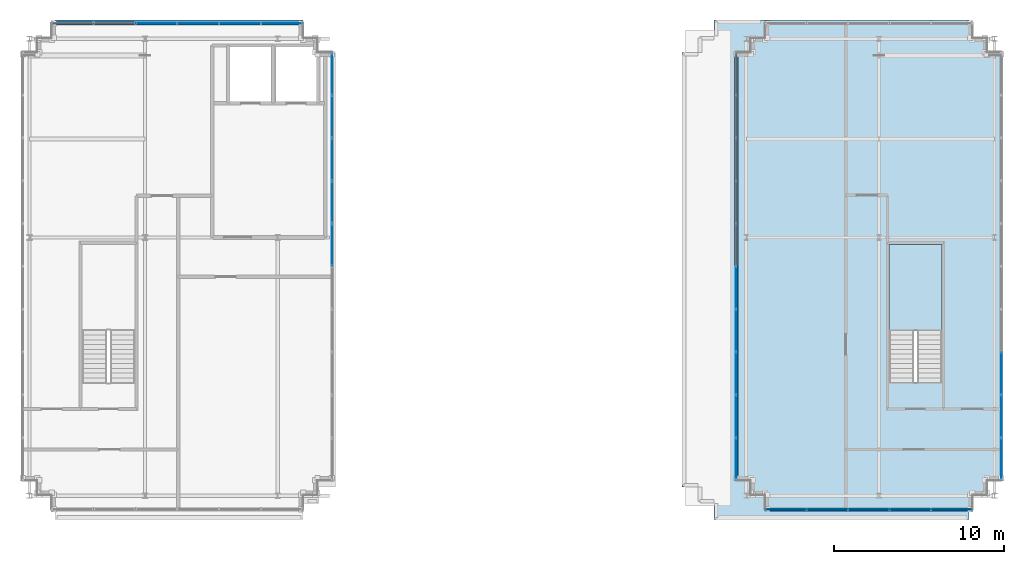
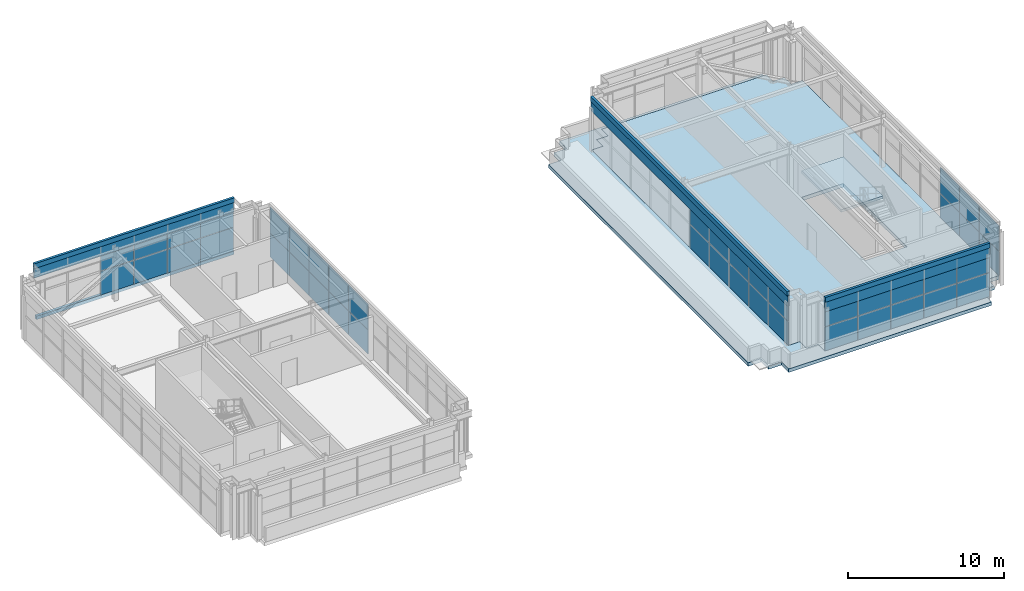
# One storey, part 17 of 25: 50 plates, 4 slabs, 6 elements without a shape of their own.
"""IFC4 building model written with IfcOpenShell, lengths in metres."""

from ifc_helpers import new_model, si_unit, direction, frame, origin, origin_2d, place, context, subcontext, project, spatial, polyline, rectangle, outline, extrude, source, transform, mapped, material, layer, layer_set, type_object, element, aggregate, save


model = new_model("IFC4")

# Units and contexts
model_context = context("Model", 3, precision=1e-05, world=origin(), true_north=direction((0.0, 1.0)))
body_context = subcontext(model_context, "Body", "Model", "MODEL_VIEW")
ifc_project = project(units=[si_unit("LENGTHUNIT", "METRE"), si_unit("AREAUNIT", "SQUARE_METRE"), si_unit("VOLUMEUNIT", "CUBIC_METRE"), si_unit("PLANEANGLEUNIT", "RADIAN"), si_unit("MASSUNIT", "GRAM", prefix="KILO")], contexts=[model_context])

# Site, building, storey
site_placement = place(None, origin())
site = spatial("IfcSite", under=ifc_project, at=site_placement, CompositionType="ELEMENT")
building_placement = place(site_placement, origin())
building = spatial("IfcBuilding", under=site, at=building_placement, Name="Trelvane Seafront Commons", CompositionType="ELEMENT")
storey_placement = place(building_placement, frame((0.0, 0.0, 316.699951171875)))
storey = spatial("IfcBuildingStorey", under=building, at=storey_placement, Name="L82", CompositionType="ELEMENT", Elevation=316.699951171875)

# Stair, slab
ifc_material_1 = material(Name="Concrete C40/50", Category="concrete")
stair_type = type_object("IfcStairType", Name="ARCH-STR-ST-6-R24-175", PredefinedType="HALF_TURN_STAIR", material=ifc_material_1)
stair_placement = place(storey_placement, origin())
stair = element("IfcStair", 1, at=stair_placement, inside=storey, type_object=stair_type, Name="L82 Crown East Peak Enclosed Maintenance Exit Stair ST-6", PredefinedType="HALF_TURN_STAIR")
ifc_layer_1 = layer(ifc_material_1, 0.199951171875, Name="ARCH-LND-200")
ifc_layer_set_1 = layer_set([ifc_layer_1], Name="Concrete C40/50")
slab_type_1 = type_object("IfcSlabType", Name="ARCH-LND-200", PredefinedType="LANDING", material=ifc_layer_set_1)
slab_1_placement = place(storey_placement, frame((0.0, 0.0, 1.900146484375)))
slab_1 = element("IfcSlab", 2, at=slab_1_placement, type_object=slab_type_1, Name="ST-6 landing 1", PredefinedType="LANDING", context=body_context, shape_type="SweptSolid", body=[
    extrude(outline(polyline([(62.5, 27.929931640625), (62.5, 33.0), (59.39990234375, 33.0), (59.39990234375, 27.929931640625), (62.5, 27.929931640625)])), origin(), (0.0, 0.0, 1.0), 0.199951171875),
])
aggregate(stair, [slab_1])

# Slabs
ifc_layer_2 = layer(ifc_material_1, 0.27001953125, Name="STR-ROOF-270")
ifc_layer_set_2 = layer_set([ifc_layer_2], Name="Concrete C40/50")
slab_type_2 = type_object("IfcSlabType", Name="STR-ROOF-270", PredefinedType="ROOF", material=ifc_layer_set_2)
slab_2_placement = place(storey_placement, frame((0.0, 0.0, -0.27001953125)))
element("IfcSlab", 3, at=slab_2_placement, inside=storey, type_object=slab_type_2, Name="L82 Crown Setback Step Roof Slab", PredefinedType="ROOF", context=body_context, shape_type="SweptSolid", body=[
    extrude(outline(polyline([(10.300048828125, 46.0), (24.89990234375, 46.0), (24.89990234375, 46.199951171875), (10.300048828125, 46.199951171875), (10.300048828125, 46.0)])), origin(), (0.0, 0.0, 1.0), 0.27001953125),
])
slab_3_placement = place(storey_placement, frame((0.0, 0.0, -0.27001953125)))
element("IfcSlab", 4, at=slab_3_placement, inside=storey, type_object=slab_type_2, Name="L82 Crown Setback Step Roof Slab", PredefinedType="ROOF", context=body_context, shape_type="SweptSolid", body=[
    extrude(outline(polyline([(49.10009765625, 17.75), (49.10009765625, 16.800048828125), (64.10009765625, 16.800048828125), (64.10009765625, 17.39990234375), (52.10009765625, 17.39990234375), (52.10009765625, 18.25), (51.25, 18.25), (51.25, 19.10009765625), (50.39990234375, 19.10009765625), (50.39990234375, 44.300048828125), (51.25, 44.300048828125), (51.25, 45.14990234375), (52.10009765625, 45.14990234375), (52.10009765625, 46.0), (64.10009765625, 46.0), (64.10009765625, 46.199951171875), (49.10009765625, 46.199951171875), (49.10009765625, 45.25), (48.14990234375, 45.25), (48.14990234375, 44.300048828125), (47.199951171875, 44.300048828125), (47.199951171875, 18.699951171875), (48.14990234375, 18.699951171875), (48.14990234375, 17.75), (49.10009765625, 17.75)])), origin(), (0.0, 0.0, 1.0), 0.27001953125),
])
ifc_material_2 = material(Name="Concrete C50/60", Category="concrete")
ifc_layer_3 = layer(ifc_material_2, 0.2900390625, Name="STR-SLB-CRN290")
ifc_layer_set_3 = layer_set([ifc_layer_3], Name="Concrete C50/60")
slab_type_3 = type_object("IfcSlabType", Name="STR-SLB-CRN290", PredefinedType="FLOOR", material=ifc_layer_set_3)
slab_4_placement = place(storey_placement, frame((0.0, 0.0, -0.2900390625)))
element("IfcSlab", 5, at=slab_4_placement, inside=storey, type_object=slab_type_3, Name="L82 East Crown Peak Floor Slab", PredefinedType="FLOOR", context=body_context, shape_type="SweptSolid", body=[
    extrude(outline(polyline([(52.10009765625, 17.39990234375), (64.300048828125, 17.39990234375), (64.300048828125, 18.25), (65.14990234375, 18.25), (65.14990234375, 19.10009765625), (66.0, 19.10009765625), (66.0, 44.300048828125), (65.14990234375, 44.300048828125), (65.14990234375, 45.14990234375), (64.300048828125, 45.14990234375), (64.300048828125, 46.0), (52.10009765625, 46.0), (52.10009765625, 45.14990234375), (51.25, 45.14990234375), (51.25, 44.300048828125), (50.39990234375, 44.300048828125), (50.39990234375, 19.10009765625), (51.25, 19.10009765625), (51.25, 18.25), (52.10009765625, 18.25), (52.10009765625, 17.39990234375)]), holes=[polyline([(62.5, 33.0), (62.5, 24.85009765625), (59.39990234375, 24.85009765625), (59.39990234375, 33.0), (62.5, 33.0)])]), origin(), (0.0, 0.0, 1.0), 0.2900390625),
])

# Curtain wall, plates
ifc_material_3 = material(Name="Anodised pale-silver aluminium", Category="aluminium")
curtain_wall_type = type_object("IfcCurtainWallType", Name="ARCH-CW6-CROWN", PredefinedType="NOTDEFINED", material=ifc_material_3)
curtain_wall_1_placement = place(storey_placement, origin())
curtain_wall_1 = element("IfcCurtainWall", 6, at=curtain_wall_1_placement, inside=storey, type_object=curtain_wall_type, Name="CW-L82-0154", PredefinedType="NOTDEFINED")
ifc_material_4 = material(Name="Low-E coastal double glazing", Category="glass")
ifc_layer_4 = layer(ifc_material_4, 0.033935546875, Name="ARCH-CW-GLAZ-34")
ifc_layer_set_4 = layer_set([ifc_layer_4], Name="Low-E coastal double glazing")
plate_type_1 = type_object("IfcPlateType", Name="ARCH-CW-GLAZ-34", PredefinedType="CURTAIN_PANEL", material=ifc_layer_set_4)
shared_shape_1 = source(origin(), body_context, "Body", "SweptSolid", [
    extrude(rectangle(XDim=2.49609375, YDim=0.031982421875, at=origin_2d()), origin(), (0.0, 0.0, 1.0), 1.85888671875),
])
plate_1_placement = place(storey_placement, frame((26.60009765625, 43.0400390625, 0.0), z_axis=(0.0, 0.0, 1.0), x_axis=(0.0, -1.0, 0.0)))
plate_1 = element("IfcPlate", 7, at=plate_1_placement, type_object=plate_type_1, Name="CW-L82-0154-P00-1", PredefinedType="CURTAIN_PANEL", context=body_context, shape_type="MappedRepresentation", body=[
    mapped(shared_shape_1, transform((0.0, 0.0, 0.0), x_axis=(1.0, 0.0, 0.0), y_axis=(0.0, 1.0, 0.0), z_axis=(0.0, 0.0, 1.0), scale=1.0)),
])
plate_2_placement = place(storey_placement, frame((26.60009765625, 40.52001953125, 0.0), z_axis=(0.0, 0.0, 1.0), x_axis=(0.0, -1.0, 0.0)))
plate_2 = element("IfcPlate", 8, at=plate_2_placement, type_object=plate_type_1, Name="CW-L82-0154-P01-1", PredefinedType="CURTAIN_PANEL", context=body_context, shape_type="MappedRepresentation", body=[
    mapped(shared_shape_1, transform((0.0, 0.0, 0.0), x_axis=(1.0, 0.0, 0.0), y_axis=(0.0, 1.0, 0.0), z_axis=(0.0, 0.0, 1.0), scale=1.0)),
])
plate_3_placement = place(storey_placement, frame((26.60009765625, 38.0, 0.0), z_axis=(0.0, 0.0, 1.0), x_axis=(0.0, -1.0, 0.0)))
plate_3 = element("IfcPlate", 9, at=plate_3_placement, type_object=plate_type_1, Name="CW-L82-0154-P02-1", PredefinedType="CURTAIN_PANEL", context=body_context, shape_type="MappedRepresentation", body=[
    mapped(shared_shape_1, transform((0.0, 0.0, 0.0), x_axis=(1.0, 0.0, 0.0), y_axis=(0.0, 1.0, 0.0), z_axis=(0.0, 0.0, 1.0), scale=1.0)),
])
plate_4_placement = place(storey_placement, frame((26.60009765625, 35.47998046875, 0.0), z_axis=(0.0, 0.0, 1.0), x_axis=(0.0, -1.0, 0.0)))
plate_4 = element("IfcPlate", 10, at=plate_4_placement, type_object=plate_type_1, Name="CW-L82-0154-P03-1", PredefinedType="CURTAIN_PANEL", context=body_context, shape_type="MappedRepresentation", body=[
    mapped(shared_shape_1, transform((0.0, 0.0, 0.0), x_axis=(1.0, 0.0, 0.0), y_axis=(0.0, 1.0, 0.0), z_axis=(0.0, 0.0, 1.0), scale=1.0)),
])
plate_5_placement = place(storey_placement, frame((26.60009765625, 32.9599609375, 0.0), z_axis=(0.0, 0.0, 1.0), x_axis=(0.0, -1.0, 0.0)))
plate_5 = element("IfcPlate", 11, at=plate_5_placement, type_object=plate_type_1, Name="CW-L82-0154-P04-1", PredefinedType="CURTAIN_PANEL", context=body_context, shape_type="MappedRepresentation", body=[
    mapped(shared_shape_1, transform((0.0, 0.0, 0.0), x_axis=(1.0, 0.0, 0.0), y_axis=(0.0, 1.0, 0.0), z_axis=(0.0, 0.0, 1.0), scale=1.0)),
])

curtain_wall_2_placement = place(storey_placement, origin())
curtain_wall_2 = element("IfcCurtainWall", 12, at=curtain_wall_2_placement, inside=storey, type_object=curtain_wall_type, Name="CW-L82-0156", PredefinedType="NOTDEFINED")
plate_6_placement = place(storey_placement, frame((50.39990234375, 20.360107421875, 0.0), z_axis=(0.0, 0.0, 1.0), x_axis=(0.0, 1.0, 0.0)))
plate_6 = element("IfcPlate", 13, at=plate_6_placement, type_object=plate_type_1, Name="CW-L82-0156-P00-1", PredefinedType="CURTAIN_PANEL", context=body_context, shape_type="MappedRepresentation", body=[
    mapped(shared_shape_1, transform((0.0, 0.0, 0.0), x_axis=(1.0, 0.0, 0.0), y_axis=(0.0, 1.0, 0.0), z_axis=(0.0, 0.0, 1.0), scale=1.0)),
])
plate_7_placement = place(storey_placement, frame((50.39990234375, 22.8798828125, 0.0), z_axis=(0.0, 0.0, 1.0), x_axis=(0.0, 1.0, 0.0)))
plate_7 = element("IfcPlate", 14, at=plate_7_placement, type_object=plate_type_1, Name="CW-L82-0156-P01-1", PredefinedType="CURTAIN_PANEL", context=body_context, shape_type="MappedRepresentation", body=[
    mapped(shared_shape_1, transform((0.0, 0.0, 0.0), x_axis=(1.0, 0.0, 0.0), y_axis=(0.0, 1.0, 0.0), z_axis=(0.0, 0.0, 1.0), scale=1.0)),
])
plate_8_placement = place(storey_placement, frame((50.39990234375, 25.39990234375, 0.0), z_axis=(0.0, 0.0, 1.0), x_axis=(0.0, 1.0, 0.0)))
plate_8 = element("IfcPlate", 15, at=plate_8_placement, type_object=plate_type_1, Name="CW-L82-0156-P02-1", PredefinedType="CURTAIN_PANEL", context=body_context, shape_type="MappedRepresentation", body=[
    mapped(shared_shape_1, transform((0.0, 0.0, 0.0), x_axis=(1.0, 0.0, 0.0), y_axis=(0.0, 1.0, 0.0), z_axis=(0.0, 0.0, 1.0), scale=1.0)),
])
plate_9_placement = place(storey_placement, frame((50.39990234375, 27.919921875, 0.0), z_axis=(0.0, 0.0, 1.0), x_axis=(0.0, 1.0, 0.0)))
plate_9 = element("IfcPlate", 16, at=plate_9_placement, type_object=plate_type_1, Name="CW-L82-0156-P03-1", PredefinedType="CURTAIN_PANEL", context=body_context, shape_type="MappedRepresentation", body=[
    mapped(shared_shape_1, transform((0.0, 0.0, 0.0), x_axis=(1.0, 0.0, 0.0), y_axis=(0.0, 1.0, 0.0), z_axis=(0.0, 0.0, 1.0), scale=1.0)),
])
plate_10_placement = place(storey_placement, frame((50.39990234375, 30.43994140625, 0.0), z_axis=(0.0, 0.0, 1.0), x_axis=(0.0, 1.0, 0.0)))
plate_10 = element("IfcPlate", 17, at=plate_10_placement, type_object=plate_type_1, Name="CW-L82-0156-P04-1", PredefinedType="CURTAIN_PANEL", context=body_context, shape_type="MappedRepresentation", body=[
    mapped(shared_shape_1, transform((0.0, 0.0, 0.0), x_axis=(1.0, 0.0, 0.0), y_axis=(0.0, 1.0, 0.0), z_axis=(0.0, 0.0, 1.0), scale=1.0)),
])

curtain_wall_3_placement = place(storey_placement, origin())
curtain_wall_3 = element("IfcCurtainWall", 18, at=curtain_wall_3_placement, inside=storey, type_object=curtain_wall_type, Name="CW-L82-0158", PredefinedType="NOTDEFINED")
plate_11_placement = place(storey_placement, frame((66.0, 25.39990234375, 0.0), z_axis=(0.0, 0.0, 1.0), x_axis=(0.0, -1.0, 0.0)))
plate_11 = element("IfcPlate", 19, at=plate_11_placement, type_object=plate_type_1, Name="CW-L82-0158-P07-1", PredefinedType="CURTAIN_PANEL", context=body_context, shape_type="MappedRepresentation", body=[
    mapped(shared_shape_1, transform((0.0, 0.0, 0.0), x_axis=(1.0, 0.0, 0.0), y_axis=(0.0, 1.0, 0.0), z_axis=(0.0, 0.0, 1.0), scale=1.0)),
])
plate_12_placement = place(storey_placement, frame((66.0, 22.8798828125, 0.0), z_axis=(0.0, 0.0, 1.0), x_axis=(0.0, -1.0, 0.0)))
plate_12 = element("IfcPlate", 20, at=plate_12_placement, type_object=plate_type_1, Name="CW-L82-0158-P08-1", PredefinedType="CURTAIN_PANEL", context=body_context, shape_type="MappedRepresentation", body=[
    mapped(shared_shape_1, transform((0.0, 0.0, 0.0), x_axis=(1.0, 0.0, 0.0), y_axis=(0.0, 1.0, 0.0), z_axis=(0.0, 0.0, 1.0), scale=1.0)),
])
plate_13_placement = place(storey_placement, frame((66.0, 20.360107421875, 0.0), z_axis=(0.0, 0.0, 1.0), x_axis=(0.0, -1.0, 0.0)))
plate_13 = element("IfcPlate", 21, at=plate_13_placement, type_object=plate_type_1, Name="CW-L82-0158-P09-1", PredefinedType="CURTAIN_PANEL", context=body_context, shape_type="MappedRepresentation", body=[
    mapped(shared_shape_1, transform((0.0, 0.0, 0.0), x_axis=(1.0, 0.0, 0.0), y_axis=(0.0, 1.0, 0.0), z_axis=(0.0, 0.0, 1.0), scale=1.0)),
])

# Plate
shared_shape_2 = source(origin(), body_context, "Body", "SweptSolid", [
    extrude(rectangle(XDim=2.49609375, YDim=0.031982421875, at=origin_2d()), origin(), (0.0, 0.0, 1.0), 2.014892578125),
])
plate_14_placement = place(storey_placement, frame((26.60009765625, 43.0400390625, 1.89501953125), z_axis=(0.0, 0.0, 1.0), x_axis=(0.0, -1.0, 0.0)))
plate_14 = element("IfcPlate", 22, at=plate_14_placement, type_object=plate_type_1, Name="CW-L82-0154-P00-2", PredefinedType="CURTAIN_PANEL", context=body_context, shape_type="MappedRepresentation", body=[
    mapped(shared_shape_2, transform((0.0, 0.0, 0.0), x_axis=(1.0, 0.0, 0.0), y_axis=(0.0, 1.0, 0.0), z_axis=(0.0, 0.0, 1.0), scale=1.0)),
])

plate_15_placement = place(storey_placement, frame((26.60009765625, 40.52001953125, 1.89501953125), z_axis=(0.0, 0.0, 1.0), x_axis=(0.0, -1.0, 0.0)))
plate_15 = element("IfcPlate", 23, at=plate_15_placement, type_object=plate_type_1, Name="CW-L82-0154-P01-2", PredefinedType="CURTAIN_PANEL", context=body_context, shape_type="MappedRepresentation", body=[
    mapped(shared_shape_2, transform((0.0, 0.0, 0.0), x_axis=(1.0, 0.0, 0.0), y_axis=(0.0, 1.0, 0.0), z_axis=(0.0, 0.0, 1.0), scale=1.0)),
])

plate_16_placement = place(storey_placement, frame((26.60009765625, 38.0, 1.89501953125), z_axis=(0.0, 0.0, 1.0), x_axis=(0.0, -1.0, 0.0)))
plate_16 = element("IfcPlate", 24, at=plate_16_placement, type_object=plate_type_1, Name="CW-L82-0154-P02-2", PredefinedType="CURTAIN_PANEL", context=body_context, shape_type="MappedRepresentation", body=[
    mapped(shared_shape_2, transform((0.0, 0.0, 0.0), x_axis=(1.0, 0.0, 0.0), y_axis=(0.0, 1.0, 0.0), z_axis=(0.0, 0.0, 1.0), scale=1.0)),
])

plate_17_placement = place(storey_placement, frame((26.60009765625, 35.47998046875, 1.89501953125), z_axis=(0.0, 0.0, 1.0), x_axis=(0.0, -1.0, 0.0)))
plate_17 = element("IfcPlate", 25, at=plate_17_placement, type_object=plate_type_1, Name="CW-L82-0154-P03-2", PredefinedType="CURTAIN_PANEL", context=body_context, shape_type="MappedRepresentation", body=[
    mapped(shared_shape_2, transform((0.0, 0.0, 0.0), x_axis=(1.0, 0.0, 0.0), y_axis=(0.0, 1.0, 0.0), z_axis=(0.0, 0.0, 1.0), scale=1.0)),
])

plate_18_placement = place(storey_placement, frame((26.60009765625, 32.9599609375, 1.89501953125), z_axis=(0.0, 0.0, 1.0), x_axis=(0.0, -1.0, 0.0)))
plate_18 = element("IfcPlate", 26, at=plate_18_placement, type_object=plate_type_1, Name="CW-L82-0154-P04-2", PredefinedType="CURTAIN_PANEL", context=body_context, shape_type="MappedRepresentation", body=[
    mapped(shared_shape_2, transform((0.0, 0.0, 0.0), x_axis=(1.0, 0.0, 0.0), y_axis=(0.0, 1.0, 0.0), z_axis=(0.0, 0.0, 1.0), scale=1.0)),
])

aggregate(curtain_wall_1, [plate_1, plate_14, plate_2, plate_15, plate_3, plate_16, plate_4, plate_17, plate_5, plate_18])

plate_19_placement = place(storey_placement, frame((50.39990234375, 20.360107421875, 1.89501953125), z_axis=(0.0, 0.0, 1.0), x_axis=(0.0, 1.0, 0.0)))
plate_19 = element("IfcPlate", 27, at=plate_19_placement, type_object=plate_type_1, Name="CW-L82-0156-P00-2", PredefinedType="CURTAIN_PANEL", context=body_context, shape_type="MappedRepresentation", body=[
    mapped(shared_shape_2, transform((0.0, 0.0, 0.0), x_axis=(1.0, 0.0, 0.0), y_axis=(0.0, 1.0, 0.0), z_axis=(0.0, 0.0, 1.0), scale=1.0)),
])

plate_20_placement = place(storey_placement, frame((50.39990234375, 22.8798828125, 1.89501953125), z_axis=(0.0, 0.0, 1.0), x_axis=(0.0, 1.0, 0.0)))
plate_20 = element("IfcPlate", 28, at=plate_20_placement, type_object=plate_type_1, Name="CW-L82-0156-P01-2", PredefinedType="CURTAIN_PANEL", context=body_context, shape_type="MappedRepresentation", body=[
    mapped(shared_shape_2, transform((0.0, 0.0, 0.0), x_axis=(1.0, 0.0, 0.0), y_axis=(0.0, 1.0, 0.0), z_axis=(0.0, 0.0, 1.0), scale=1.0)),
])

plate_21_placement = place(storey_placement, frame((50.39990234375, 25.39990234375, 1.89501953125), z_axis=(0.0, 0.0, 1.0), x_axis=(0.0, 1.0, 0.0)))
plate_21 = element("IfcPlate", 29, at=plate_21_placement, type_object=plate_type_1, Name="CW-L82-0156-P02-2", PredefinedType="CURTAIN_PANEL", context=body_context, shape_type="MappedRepresentation", body=[
    mapped(shared_shape_2, transform((0.0, 0.0, 0.0), x_axis=(1.0, 0.0, 0.0), y_axis=(0.0, 1.0, 0.0), z_axis=(0.0, 0.0, 1.0), scale=1.0)),
])

plate_22_placement = place(storey_placement, frame((50.39990234375, 27.919921875, 1.89501953125), z_axis=(0.0, 0.0, 1.0), x_axis=(0.0, 1.0, 0.0)))
plate_22 = element("IfcPlate", 30, at=plate_22_placement, type_object=plate_type_1, Name="CW-L82-0156-P03-2", PredefinedType="CURTAIN_PANEL", context=body_context, shape_type="MappedRepresentation", body=[
    mapped(shared_shape_2, transform((0.0, 0.0, 0.0), x_axis=(1.0, 0.0, 0.0), y_axis=(0.0, 1.0, 0.0), z_axis=(0.0, 0.0, 1.0), scale=1.0)),
])

plate_23_placement = place(storey_placement, frame((50.39990234375, 30.43994140625, 1.89501953125), z_axis=(0.0, 0.0, 1.0), x_axis=(0.0, 1.0, 0.0)))
plate_23 = element("IfcPlate", 31, at=plate_23_placement, type_object=plate_type_1, Name="CW-L82-0156-P04-2", PredefinedType="CURTAIN_PANEL", context=body_context, shape_type="MappedRepresentation", body=[
    mapped(shared_shape_2, transform((0.0, 0.0, 0.0), x_axis=(1.0, 0.0, 0.0), y_axis=(0.0, 1.0, 0.0), z_axis=(0.0, 0.0, 1.0), scale=1.0)),
])

aggregate(curtain_wall_2, [plate_6, plate_19, plate_7, plate_20, plate_8, plate_21, plate_9, plate_22, plate_10, plate_23])

plate_24_placement = place(storey_placement, frame((66.0, 25.39990234375, 1.89501953125), z_axis=(0.0, 0.0, 1.0), x_axis=(0.0, -1.0, 0.0)))
plate_24 = element("IfcPlate", 32, at=plate_24_placement, type_object=plate_type_1, Name="CW-L82-0158-P07-2", PredefinedType="CURTAIN_PANEL", context=body_context, shape_type="MappedRepresentation", body=[
    mapped(shared_shape_2, transform((0.0, 0.0, 0.0), x_axis=(1.0, 0.0, 0.0), y_axis=(0.0, 1.0, 0.0), z_axis=(0.0, 0.0, 1.0), scale=1.0)),
])

plate_25_placement = place(storey_placement, frame((66.0, 22.8798828125, 1.89501953125), z_axis=(0.0, 0.0, 1.0), x_axis=(0.0, -1.0, 0.0)))
plate_25 = element("IfcPlate", 33, at=plate_25_placement, type_object=plate_type_1, Name="CW-L82-0158-P08-2", PredefinedType="CURTAIN_PANEL", context=body_context, shape_type="MappedRepresentation", body=[
    mapped(shared_shape_2, transform((0.0, 0.0, 0.0), x_axis=(1.0, 0.0, 0.0), y_axis=(0.0, 1.0, 0.0), z_axis=(0.0, 0.0, 1.0), scale=1.0)),
])

plate_26_placement = place(storey_placement, frame((66.0, 20.360107421875, 1.89501953125), z_axis=(0.0, 0.0, 1.0), x_axis=(0.0, -1.0, 0.0)))
plate_26 = element("IfcPlate", 34, at=plate_26_placement, type_object=plate_type_1, Name="CW-L82-0158-P09-2", PredefinedType="CURTAIN_PANEL", context=body_context, shape_type="MappedRepresentation", body=[
    mapped(shared_shape_2, transform((0.0, 0.0, 0.0), x_axis=(1.0, 0.0, 0.0), y_axis=(0.0, 1.0, 0.0), z_axis=(0.0, 0.0, 1.0), scale=1.0)),
])

aggregate(curtain_wall_3, [plate_11, plate_24, plate_12, plate_25, plate_13, plate_26])

# Plates
ifc_layer_5 = layer(ifc_material_3, 0.080078125, Name="ARCH-PLATE-LOUVRE")
ifc_layer_set_5 = layer_set([ifc_layer_5], Name="Anodised pale-silver aluminium")
plate_type_2 = type_object("IfcPlateType", Name="ARCH-PLATE-LOUVRE", PredefinedType="USERDEFINED", material=ifc_layer_set_5)
shared_shape_3 = source(origin(), body_context, "Body", "SweptSolid", [
    extrude(rectangle(XDim=25.199951171875, YDim=0.080078125, at=origin_2d()), origin(), (0.0, 0.0, 1.0), 0.889892578125),
])
plate_27_placement = place(storey_placement, frame((50.39990234375, 31.699951171875, 3.06005859375), z_axis=(0.0, 0.0, 1.0), x_axis=(0.0, 1.0, 0.0)))
element("IfcPlate", 35, at=plate_27_placement, inside=storey, type_object=plate_type_2, Name="LOU-L82-045", ObjectType="LOUVRE", PredefinedType="USERDEFINED", context=body_context, shape_type="MappedRepresentation", body=[
    mapped(shared_shape_3, transform((0.0, 0.0, 0.0), x_axis=(1.0, 0.0, 0.0), y_axis=(0.0, 1.0, 0.0), z_axis=(0.0, 0.0, 1.0), scale=1.0)),
])
ifc_layer_6 = layer(ifc_material_3, 0.179931640625, Name="ARCH-PLATE-AERO")
ifc_layer_set_6 = layer_set([ifc_layer_6], Name="Anodised pale-silver aluminium")
plate_type_3 = type_object("IfcPlateType", Name="ARCH-PLATE-AERO", PredefinedType="SHEET", material=ifc_layer_set_6)
shared_shape_4 = source(origin(), body_context, "Body", "SweptSolid", [
    extrude(rectangle(XDim=25.199951171875, YDim=0.179931640625, at=origin_2d()), origin(), (0.0, 0.0, 1.0), 0.3701171875),
])
plate_28_placement = place(storey_placement, frame((50.39990234375, 31.699951171875, 3.85009765625), z_axis=(0.0, 0.0, 1.0), x_axis=(0.0, 1.0, 0.0)))
element("IfcPlate", 36, at=plate_28_placement, inside=storey, type_object=plate_type_3, Name="AER-L82-00302", PredefinedType="SHEET", context=body_context, shape_type="MappedRepresentation", body=[
    mapped(shared_shape_4, transform((0.0, 0.0, 0.0), x_axis=(1.0, 0.0, 0.0), y_axis=(0.0, 1.0, 0.0), z_axis=(0.0, 0.0, 1.0), scale=1.0)),
])

# Curtain wall, plates
curtain_wall_4_placement = place(storey_placement, origin())
curtain_wall_4 = element("IfcCurtainWall", 37, at=curtain_wall_4_placement, inside=storey, type_object=curtain_wall_type, Name="CW-L82-0153", PredefinedType="NOTDEFINED")
shared_shape_5 = source(origin(), body_context, "Body", "SweptSolid", [
    extrude(rectangle(XDim=2.442626953125, YDim=0.031982421875, at=origin_2d()), origin(), (0.0, 0.0, 1.0), 1.85888671875),
])
plate_29_placement = place(storey_placement, frame((16.2666015625, 46.0, 0.0), z_axis=(0.0, 0.0, 1.0), x_axis=(1.0, 0.0, 0.0)))
plate_29 = element("IfcPlate", 38, at=plate_29_placement, type_object=plate_type_1, Name="CW-L82-0153-P02-1", PredefinedType="CURTAIN_PANEL", context=body_context, shape_type="MappedRepresentation", body=[
    mapped(shared_shape_5, transform((0.0, 0.0, 0.0), x_axis=(1.0, 0.0, 0.0), y_axis=(0.0, 1.0, 0.0), z_axis=(0.0, 0.0, 1.0), scale=1.0)),
])
plate_30_placement = place(storey_placement, frame((18.7333984375, 46.0, 0.0), z_axis=(0.0, 0.0, 1.0), x_axis=(1.0, 0.0, 0.0)))
plate_30 = element("IfcPlate", 39, at=plate_30_placement, type_object=plate_type_1, Name="CW-L82-0153-P03-1", PredefinedType="CURTAIN_PANEL", context=body_context, shape_type="MappedRepresentation", body=[
    mapped(shared_shape_5, transform((0.0, 0.0, 0.0), x_axis=(1.0, 0.0, 0.0), y_axis=(0.0, 1.0, 0.0), z_axis=(0.0, 0.0, 1.0), scale=1.0)),
])
plate_31_placement = place(storey_placement, frame((21.199951171875, 46.0, 0.0), z_axis=(0.0, 0.0, 1.0), x_axis=(1.0, 0.0, 0.0)))
plate_31 = element("IfcPlate", 40, at=plate_31_placement, type_object=plate_type_1, Name="CW-L82-0153-P04-1", PredefinedType="CURTAIN_PANEL", context=body_context, shape_type="MappedRepresentation", body=[
    mapped(shared_shape_5, transform((0.0, 0.0, 0.0), x_axis=(1.0, 0.0, 0.0), y_axis=(0.0, 1.0, 0.0), z_axis=(0.0, 0.0, 1.0), scale=1.0)),
])
plate_32_placement = place(storey_placement, frame((23.666748046875, 46.0, 0.0), z_axis=(0.0, 0.0, 1.0), x_axis=(1.0, 0.0, 0.0)))
plate_32 = element("IfcPlate", 41, at=plate_32_placement, type_object=plate_type_1, Name="CW-L82-0153-P05-1", PredefinedType="CURTAIN_PANEL", context=body_context, shape_type="MappedRepresentation", body=[
    mapped(shared_shape_5, transform((0.0, 0.0, 0.0), x_axis=(1.0, 0.0, 0.0), y_axis=(0.0, 1.0, 0.0), z_axis=(0.0, 0.0, 1.0), scale=1.0)),
])
shared_shape_6 = source(origin(), body_context, "Body", "SweptSolid", [
    extrude(rectangle(XDim=2.442626953125, YDim=0.031982421875, at=origin_2d()), origin(), (0.0, 0.0, 1.0), 2.014892578125),
])
plate_33_placement = place(storey_placement, frame((16.2666015625, 46.0, 1.89501953125), z_axis=(0.0, 0.0, 1.0), x_axis=(1.0, 0.0, 0.0)))
plate_33 = element("IfcPlate", 42, at=plate_33_placement, type_object=plate_type_1, Name="CW-L82-0153-P02-2", PredefinedType="CURTAIN_PANEL", context=body_context, shape_type="MappedRepresentation", body=[
    mapped(shared_shape_6, transform((0.0, 0.0, 0.0), x_axis=(1.0, 0.0, 0.0), y_axis=(0.0, 1.0, 0.0), z_axis=(0.0, 0.0, 1.0), scale=1.0)),
])
plate_34_placement = place(storey_placement, frame((18.7333984375, 46.0, 1.89501953125), z_axis=(0.0, 0.0, 1.0), x_axis=(1.0, 0.0, 0.0)))
plate_34 = element("IfcPlate", 43, at=plate_34_placement, type_object=plate_type_1, Name="CW-L82-0153-P03-2", PredefinedType="CURTAIN_PANEL", context=body_context, shape_type="MappedRepresentation", body=[
    mapped(shared_shape_6, transform((0.0, 0.0, 0.0), x_axis=(1.0, 0.0, 0.0), y_axis=(0.0, 1.0, 0.0), z_axis=(0.0, 0.0, 1.0), scale=1.0)),
])
plate_35_placement = place(storey_placement, frame((21.199951171875, 46.0, 1.89501953125), z_axis=(0.0, 0.0, 1.0), x_axis=(1.0, 0.0, 0.0)))
plate_35 = element("IfcPlate", 44, at=plate_35_placement, type_object=plate_type_1, Name="CW-L82-0153-P04-2", PredefinedType="CURTAIN_PANEL", context=body_context, shape_type="MappedRepresentation", body=[
    mapped(shared_shape_6, transform((0.0, 0.0, 0.0), x_axis=(1.0, 0.0, 0.0), y_axis=(0.0, 1.0, 0.0), z_axis=(0.0, 0.0, 1.0), scale=1.0)),
])
plate_36_placement = place(storey_placement, frame((23.666748046875, 46.0, 1.89501953125), z_axis=(0.0, 0.0, 1.0), x_axis=(1.0, 0.0, 0.0)))
plate_36 = element("IfcPlate", 45, at=plate_36_placement, type_object=plate_type_1, Name="CW-L82-0153-P05-2", PredefinedType="CURTAIN_PANEL", context=body_context, shape_type="MappedRepresentation", body=[
    mapped(shared_shape_6, transform((0.0, 0.0, 0.0), x_axis=(1.0, 0.0, 0.0), y_axis=(0.0, 1.0, 0.0), z_axis=(0.0, 0.0, 1.0), scale=1.0)),
])
aggregate(curtain_wall_4, [plate_29, plate_33, plate_30, plate_34, plate_31, plate_35, plate_32, plate_36])

# Plates
shared_shape_7 = source(origin(), body_context, "Body", "SweptSolid", [
    extrude(rectangle(XDim=14.800048828125, YDim=0.080078125, at=origin_2d()), origin(), (0.0, 0.0, 1.0), 0.889892578125),
])
plate_37_placement = place(storey_placement, frame((17.5, 46.0, 3.06005859375), z_axis=(0.0, 0.0, 1.0), x_axis=(1.0, 0.0, 0.0)))
element("IfcPlate", 46, at=plate_37_placement, inside=storey, type_object=plate_type_2, Name="LOU-L82-042", ObjectType="LOUVRE", PredefinedType="USERDEFINED", context=body_context, shape_type="MappedRepresentation", body=[
    mapped(shared_shape_7, transform((0.0, 0.0, 0.0), x_axis=(1.0, 0.0, 0.0), y_axis=(0.0, 1.0, 0.0), z_axis=(0.0, 0.0, 1.0), scale=1.0)),
])
shared_shape_8 = source(origin(), body_context, "Body", "SweptSolid", [
    extrude(rectangle(XDim=14.800048828125, YDim=0.179931640625, at=origin_2d()), origin(), (0.0, 0.0, 1.0), 0.3701171875),
])
plate_38_placement = place(storey_placement, frame((17.5, 46.0, 3.85009765625), z_axis=(0.0, 0.0, 1.0), x_axis=(1.0, 0.0, 0.0)))
element("IfcPlate", 47, at=plate_38_placement, inside=storey, type_object=plate_type_3, Name="AER-L82-00299", PredefinedType="SHEET", context=body_context, shape_type="MappedRepresentation", body=[
    mapped(shared_shape_8, transform((0.0, 0.0, 0.0), x_axis=(1.0, 0.0, 0.0), y_axis=(0.0, 1.0, 0.0), z_axis=(0.0, 0.0, 1.0), scale=1.0)),
])

# Curtain wall, plates
curtain_wall_5_placement = place(storey_placement, origin())
curtain_wall_5 = element("IfcCurtainWall", 48, at=curtain_wall_5_placement, inside=storey, type_object=curtain_wall_type, Name="CW-L82-0159", PredefinedType="NOTDEFINED")
shared_shape_9 = source(origin(), body_context, "Body", "SweptSolid", [
    extrude(rectangle(XDim=2.416015625, YDim=0.031982421875, at=origin_2d()), origin(), (0.0, 0.0, 1.0), 1.85888671875),
])
plate_39_placement = place(storey_placement, frame((63.080078125, 17.39990234375, 0.0), z_axis=(0.0, 0.0, 1.0), x_axis=(-1.0, 0.0, 0.0)))
plate_39 = element("IfcPlate", 49, at=plate_39_placement, type_object=plate_type_1, Name="CW-L82-0159-P00-1", PredefinedType="CURTAIN_PANEL", context=body_context, shape_type="MappedRepresentation", body=[
    mapped(shared_shape_9, transform((0.0, 0.0, 0.0), x_axis=(1.0, 0.0, 0.0), y_axis=(0.0, 1.0, 0.0), z_axis=(0.0, 0.0, 1.0), scale=1.0)),
])
plate_40_placement = place(storey_placement, frame((60.639892578125, 17.39990234375, 0.0), z_axis=(0.0, 0.0, 1.0), x_axis=(-1.0, 0.0, 0.0)))
plate_40 = element("IfcPlate", 50, at=plate_40_placement, type_object=plate_type_1, Name="CW-L82-0159-P01-1", PredefinedType="CURTAIN_PANEL", context=body_context, shape_type="MappedRepresentation", body=[
    mapped(shared_shape_9, transform((0.0, 0.0, 0.0), x_axis=(1.0, 0.0, 0.0), y_axis=(0.0, 1.0, 0.0), z_axis=(0.0, 0.0, 1.0), scale=1.0)),
])
plate_41_placement = place(storey_placement, frame((58.199951171875, 17.39990234375, 0.0), z_axis=(0.0, 0.0, 1.0), x_axis=(-1.0, 0.0, 0.0)))
plate_41 = element("IfcPlate", 51, at=plate_41_placement, type_object=plate_type_1, Name="CW-L82-0159-P02-1", PredefinedType="CURTAIN_PANEL", context=body_context, shape_type="MappedRepresentation", body=[
    mapped(shared_shape_9, transform((0.0, 0.0, 0.0), x_axis=(1.0, 0.0, 0.0), y_axis=(0.0, 1.0, 0.0), z_axis=(0.0, 0.0, 1.0), scale=1.0)),
])
plate_42_placement = place(storey_placement, frame((55.760009765625, 17.39990234375, 0.0), z_axis=(0.0, 0.0, 1.0), x_axis=(-1.0, 0.0, 0.0)))
plate_42 = element("IfcPlate", 52, at=plate_42_placement, type_object=plate_type_1, Name="CW-L82-0159-P03-1", PredefinedType="CURTAIN_PANEL", context=body_context, shape_type="MappedRepresentation", body=[
    mapped(shared_shape_9, transform((0.0, 0.0, 0.0), x_axis=(1.0, 0.0, 0.0), y_axis=(0.0, 1.0, 0.0), z_axis=(0.0, 0.0, 1.0), scale=1.0)),
])
plate_43_placement = place(storey_placement, frame((53.320068359375, 17.39990234375, 0.0), z_axis=(0.0, 0.0, 1.0), x_axis=(-1.0, 0.0, 0.0)))
plate_43 = element("IfcPlate", 53, at=plate_43_placement, type_object=plate_type_1, Name="CW-L82-0159-P04-1", PredefinedType="CURTAIN_PANEL", context=body_context, shape_type="MappedRepresentation", body=[
    mapped(shared_shape_9, transform((0.0, 0.0, 0.0), x_axis=(1.0, 0.0, 0.0), y_axis=(0.0, 1.0, 0.0), z_axis=(0.0, 0.0, 1.0), scale=1.0)),
])
shared_shape_10 = source(origin(), body_context, "Body", "SweptSolid", [
    extrude(rectangle(XDim=2.416015625, YDim=0.031982421875, at=origin_2d()), origin(), (0.0, 0.0, 1.0), 2.014892578125),
])
plate_44_placement = place(storey_placement, frame((63.080078125, 17.39990234375, 1.89501953125), z_axis=(0.0, 0.0, 1.0), x_axis=(-1.0, 0.0, 0.0)))
plate_44 = element("IfcPlate", 54, at=plate_44_placement, type_object=plate_type_1, Name="CW-L82-0159-P00-2", PredefinedType="CURTAIN_PANEL", context=body_context, shape_type="MappedRepresentation", body=[
    mapped(shared_shape_10, transform((0.0, 0.0, 0.0), x_axis=(1.0, 0.0, 0.0), y_axis=(0.0, 1.0, 0.0), z_axis=(0.0, 0.0, 1.0), scale=1.0)),
])
plate_45_placement = place(storey_placement, frame((60.639892578125, 17.39990234375, 1.89501953125), z_axis=(0.0, 0.0, 1.0), x_axis=(-1.0, 0.0, 0.0)))
plate_45 = element("IfcPlate", 55, at=plate_45_placement, type_object=plate_type_1, Name="CW-L82-0159-P01-2", PredefinedType="CURTAIN_PANEL", context=body_context, shape_type="MappedRepresentation", body=[
    mapped(shared_shape_10, transform((0.0, 0.0, 0.0), x_axis=(1.0, 0.0, 0.0), y_axis=(0.0, 1.0, 0.0), z_axis=(0.0, 0.0, 1.0), scale=1.0)),
])
plate_46_placement = place(storey_placement, frame((58.199951171875, 17.39990234375, 1.89501953125), z_axis=(0.0, 0.0, 1.0), x_axis=(-1.0, 0.0, 0.0)))
plate_46 = element("IfcPlate", 56, at=plate_46_placement, type_object=plate_type_1, Name="CW-L82-0159-P02-2", PredefinedType="CURTAIN_PANEL", context=body_context, shape_type="MappedRepresentation", body=[
    mapped(shared_shape_10, transform((0.0, 0.0, 0.0), x_axis=(1.0, 0.0, 0.0), y_axis=(0.0, 1.0, 0.0), z_axis=(0.0, 0.0, 1.0), scale=1.0)),
])
plate_47_placement = place(storey_placement, frame((55.760009765625, 17.39990234375, 1.89501953125), z_axis=(0.0, 0.0, 1.0), x_axis=(-1.0, 0.0, 0.0)))
plate_47 = element("IfcPlate", 57, at=plate_47_placement, type_object=plate_type_1, Name="CW-L82-0159-P03-2", PredefinedType="CURTAIN_PANEL", context=body_context, shape_type="MappedRepresentation", body=[
    mapped(shared_shape_10, transform((0.0, 0.0, 0.0), x_axis=(1.0, 0.0, 0.0), y_axis=(0.0, 1.0, 0.0), z_axis=(0.0, 0.0, 1.0), scale=1.0)),
])
plate_48_placement = place(storey_placement, frame((53.320068359375, 17.39990234375, 1.89501953125), z_axis=(0.0, 0.0, 1.0), x_axis=(-1.0, 0.0, 0.0)))
plate_48 = element("IfcPlate", 58, at=plate_48_placement, type_object=plate_type_1, Name="CW-L82-0159-P04-2", PredefinedType="CURTAIN_PANEL", context=body_context, shape_type="MappedRepresentation", body=[
    mapped(shared_shape_10, transform((0.0, 0.0, 0.0), x_axis=(1.0, 0.0, 0.0), y_axis=(0.0, 1.0, 0.0), z_axis=(0.0, 0.0, 1.0), scale=1.0)),
])
aggregate(curtain_wall_5, [plate_39, plate_44, plate_40, plate_45, plate_41, plate_46, plate_42, plate_47, plate_43, plate_48])

# Plates
shared_shape_11 = source(origin(), body_context, "Body", "SweptSolid", [
    extrude(rectangle(XDim=12.199951171875, YDim=0.080078125, at=origin_2d()), origin(), (0.0, 0.0, 1.0), 0.889892578125),
])
plate_49_placement = place(storey_placement, frame((58.199951171875, 17.39990234375, 3.06005859375), z_axis=(0.0, 0.0, 1.0), x_axis=(-1.0, 0.0, 0.0)))
element("IfcPlate", 59, at=plate_49_placement, inside=storey, type_object=plate_type_2, Name="LOU-L82-048", ObjectType="LOUVRE", PredefinedType="USERDEFINED", context=body_context, shape_type="MappedRepresentation", body=[
    mapped(shared_shape_11, transform((0.0, 0.0, 0.0), x_axis=(1.0, 0.0, 0.0), y_axis=(0.0, 1.0, 0.0), z_axis=(0.0, 0.0, 1.0), scale=1.0)),
])
shared_shape_12 = source(origin(), body_context, "Body", "SweptSolid", [
    extrude(rectangle(XDim=12.199951171875, YDim=0.179931640625, at=origin_2d()), origin(), (0.0, 0.0, 1.0), 0.3701171875),
])
plate_50_placement = place(storey_placement, frame((58.199951171875, 17.39990234375, 3.85009765625), z_axis=(0.0, 0.0, 1.0), x_axis=(-1.0, 0.0, 0.0)))
element("IfcPlate", 60, at=plate_50_placement, inside=storey, type_object=plate_type_3, Name="AER-L82-00305", PredefinedType="SHEET", context=body_context, shape_type="MappedRepresentation", body=[
    mapped(shared_shape_12, transform((0.0, 0.0, 0.0), x_axis=(1.0, 0.0, 0.0), y_axis=(0.0, 1.0, 0.0), z_axis=(0.0, 0.0, 1.0), scale=1.0)),
])

save(model, "model.ifc")
